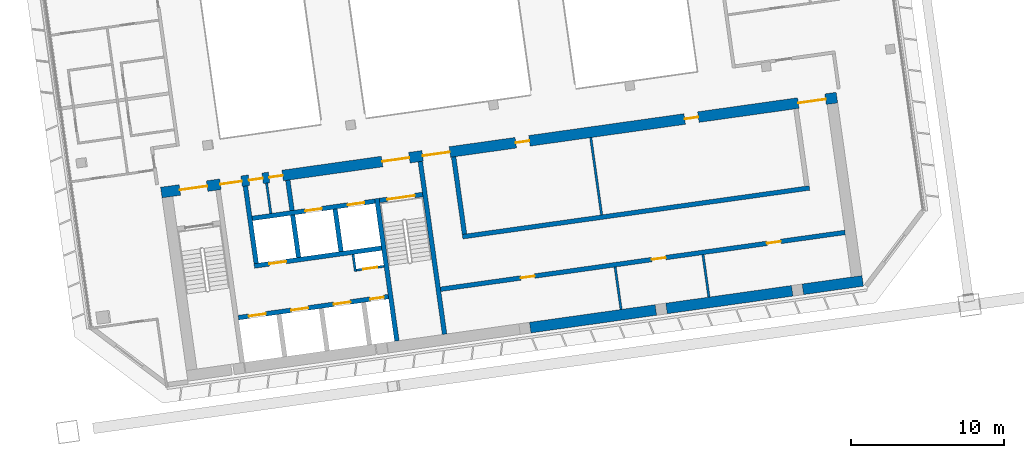
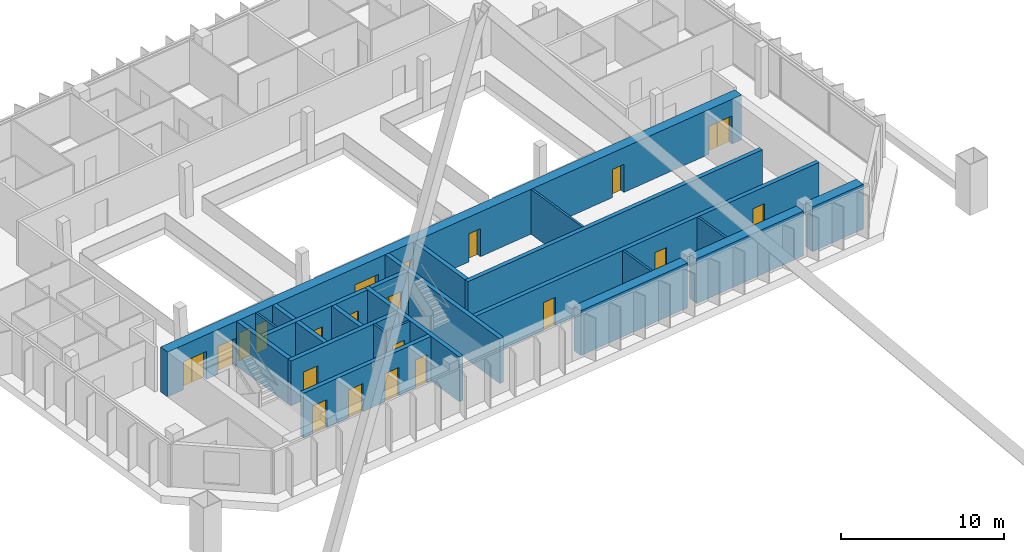
# One storey, part 29 of 38: 23 walls, 21 doors, 21 openings.
"""IFC4 building model written with IfcOpenShell, lengths in metres."""

from ifc_helpers import new_model, si_unit, direction, frame, frame_2d, origin, place, context, subcontext, project, spatial, rectangle, extrude, material, layer, layer_set, type_object, element, fill, save


model = new_model("IFC4")

# Units and contexts
model_context = context("Model", 3, precision=1e-05, world=origin(), true_north=direction((0.0, 1.0)))
body_context = subcontext(model_context, "Body", "Model", "MODEL_VIEW")
ifc_project = project(units=[si_unit("LENGTHUNIT", "METRE"), si_unit("AREAUNIT", "SQUARE_METRE"), si_unit("VOLUMEUNIT", "CUBIC_METRE"), si_unit("PLANEANGLEUNIT", "RADIAN"), si_unit("MASSUNIT", "GRAM", prefix="KILO")], contexts=[model_context])

# Site, building, storey
site_placement = place(None, origin())
site = spatial("IfcSite", under=ifc_project, at=site_placement, CompositionType="ELEMENT")
building_placement = place(site_placement, origin())
building = spatial("IfcBuilding", under=site, at=building_placement, Name="Mirante Cascada Hotel Towers", CompositionType="ELEMENT")
storey_placement = place(building_placement, frame((0.0, 0.0, 184.0)))
storey = spatial("IfcBuildingStorey", under=building, at=storey_placement, Name="L43", CompositionType="ELEMENT", Elevation=184.0)

# Wall
ifc_material_1 = material(Name="Masonry block", Category="masonry")
ifc_layer_1 = layer(ifc_material_1, 0.15)
ifc_layer_set_1 = layer_set([ifc_layer_1], Name="Core room partition 150 block EI 30")
wall_type_1 = type_object("IfcWallType", Name="Core room partition 150 block EI 30", PredefinedType="PARTITIONING", material=ifc_layer_set_1)
wall_1_placement = place(storey_placement, frame((48.2295, -12.793, 0.0), z_axis=(0.0, 0.0, 1.0), x_axis=(-0.1391935, 0.9902652, 0.0)))
element("IfcWall", 1, at=wall_1_placement, inside=storey, type_object=wall_type_1, Name="Core wall partition T2 L43 2", PredefinedType="PARTITIONING", context=body_context, shape_type="SweptSolid", body=[
    extrude(rectangle(XDim=1.1251, YDim=0.15, at=frame_2d((0.5626, 0.0))), origin(), (0.0, 0.0, 1.0), 3.35),
])

# Wall, opening, door
wall_2_placement = place(storey_placement, frame((48.2933, -12.7083, 0.0), z_axis=(0.0, 0.0, 1.0), x_axis=(0.990268, 0.1391734, 0.0)))
wall_2 = element("IfcWall", 2, at=wall_2_placement, inside=storey, type_object=wall_type_1, Name="Core wall partition T2 L43 3", PredefinedType="PARTITIONING", context=body_context, shape_type="SweptSolid", body=[
    extrude(rectangle(XDim=1.8251, YDim=0.15, at=frame_2d((0.9126, 0.0))), origin(), (0.0, 0.0, 1.0), 3.35),
])
opening_1_placement = place(wall_2_placement, frame((0.4625, 0.0, 0.0)))
opening_1 = element("IfcOpeningElement", 3, at=opening_1_placement, cuts=wall_2, Name="Opening D2-43-C15", PredefinedType="OPENING", context=body_context, shape_type="SweptSolid", body=[
    extrude(rectangle(XDim=0.9, YDim=2.1, at=frame_2d((0.45, 1.05))), frame((0.0, 0.075, 0.0), z_axis=(0.0, -1.0, 0.0), x_axis=(1.0, 0.0, 0.0)), (0.0, 0.0, 1.0), 0.15),
])
ifc_material_2 = material(Name="Hollow metal fire door leaf")
door_type_1 = type_object("IfcDoorType", Name="Fire door 900x2100 FD60", OperationType="NOTDEFINED", PredefinedType="DOOR", material=ifc_material_2)
door_1_placement = place(opening_1_placement, frame((0.9, 0.0, 0.0), z_axis=(0.0, 0.0, 1.0), x_axis=(-1.0, 0.0, 0.0)))
door_1 = element("IfcDoor", 4, at=door_1_placement, inside=storey, type_object=door_type_1, Name="Riser door T2 L43 15", OperationType="SINGLE_SWING_RIGHT", OverallHeight=2.1, OverallWidth=0.9, PredefinedType="DOOR", context=body_context, shape_type="SweptSolid", body=[
    extrude(rectangle(XDim=0.9, YDim=2.1, at=frame_2d((0.45, 1.05))), frame((0.0, 0.025, 0.0), z_axis=(0.0, -1.0, 0.0), x_axis=(1.0, 0.0, 0.0)), (0.0, 0.0, 1.0), 0.05),
])
fill(opening_1, door_1)

# Walls
wall_3_placement = place(storey_placement, frame((42.6979, -9.0009, 0.0), z_axis=(0.0, 0.0, 1.0), x_axis=(-0.1391529, 0.9902709, 0.0)))
element("IfcWall", 5, at=wall_3_placement, inside=storey, type_object=wall_type_1, Name="Core wall partition T2 L43 4", PredefinedType="PARTITIONING", context=body_context, shape_type="SweptSolid", body=[
    extrude(rectangle(XDim=2.0, YDim=0.15, at=frame_2d((1.0, 0.0))), origin(), (0.0, 0.0, 1.0), 3.35),
])
wall_4_placement = place(storey_placement, frame((65.594, -15.2755, 0.0), z_axis=(0.0, 0.0, 1.0), x_axis=(-0.139176, 0.9902677, 0.0)))
element("IfcWall", 6, at=wall_4_placement, inside=storey, type_object=wall_type_1, Name="Core wall partition T2 L43 6", PredefinedType="PARTITIONING", context=body_context, shape_type="SweptSolid", body=[
    extrude(rectangle(XDim=2.8001, YDim=0.15, at=frame_2d((1.4, 0.0))), origin(), (0.0, 0.0, 1.0), 3.35),
])
wall_5_placement = place(storey_placement, frame((71.3375, -14.4683, 0.0), z_axis=(0.0, 0.0, 1.0), x_axis=(-0.139141, 0.9902726, 0.0)))
element("IfcWall", 7, at=wall_5_placement, inside=storey, type_object=wall_type_1, Name="Core wall partition T2 L43 7", PredefinedType="PARTITIONING", context=body_context, shape_type="SweptSolid", body=[
    extrude(rectangle(XDim=2.8, YDim=0.15, at=frame_2d((1.4, 0.0))), origin(), (0.0, 0.0, 1.0), 3.35),
])
wall_6_placement = place(storey_placement, frame((64.3211, -9.0925, 0.0), z_axis=(0.0, 0.0, 1.0), x_axis=(-0.1391755, 0.9902677, 0.0)))
element("IfcWall", 8, at=wall_6_placement, inside=storey, type_object=wall_type_1, Name="Core wall partition T2 L43 8", PredefinedType="PARTITIONING", context=body_context, shape_type="SweptSolid", body=[
    extrude(rectangle(XDim=5.1, YDim=0.15, at=frame_2d((2.55, 0.0))), origin(), (0.0, 0.0, 1.0), 3.35),
])
ifc_material_3 = material(Name="Masonry block", Category="masonry")
ifc_layer_2 = layer(ifc_material_3, 0.3)
ifc_layer_set_2 = layer_set([ifc_layer_2], Name="Core wall 300 block EI 120")
wall_type_2 = type_object("IfcWallType", Name="Core wall 300 block EI 120", PredefinedType="PARTITIONING", material=ifc_layer_set_2)
wall_7_placement = place(storey_placement, frame((44.0843, -8.8061, 0.0), z_axis=(0.0, 0.0, 1.0), x_axis=(-0.1391951, 0.990265, 0.0)))
element("IfcWall", 9, at=wall_7_placement, inside=storey, type_object=wall_type_2, Name="Core wall partition T2 L43 1", PredefinedType="PARTITIONING", context=body_context, shape_type="SweptSolid", body=[
    extrude(rectangle(XDim=2.0001, YDim=0.3, at=frame_2d((1.0001, 0.0))), origin(), (0.0, 0.0, 1.0), 3.35),
])

# Wall, openings, doors
wall_8_placement = place(storey_placement, frame((53.7953, -13.9547, 0.0), z_axis=(0.0, 0.0, 1.0), x_axis=(0.9902677, 0.1391758, 0.0)))
wall_8 = element("IfcWall", 10, at=wall_8_placement, inside=storey, type_object=wall_type_2, Name="Core wall partition T2 L43 5", PredefinedType="PARTITIONING", context=body_context, shape_type="SweptSolid", body=[
    extrude(rectangle(XDim=26.7001, YDim=0.3, at=frame_2d((13.35, 0.0))), origin(), (0.0, 0.0, 1.0), 3.35),
])
opening_2_placement = place(wall_8_placement, frame((5.3, 0.0, 0.0)))
opening_2 = element("IfcOpeningElement", 11, at=opening_2_placement, cuts=wall_8, Name="Opening D2-43-C18", PredefinedType="OPENING", context=body_context, shape_type="SweptSolid", body=[
    extrude(rectangle(XDim=0.9, YDim=2.1, at=frame_2d((0.45, 1.05))), frame((0.0, 0.15, 0.0), z_axis=(0.0, -1.0, 0.0), x_axis=(1.0, 0.0, 0.0)), (0.0, 0.0, 1.0), 0.3),
])
opening_3_placement = place(wall_8_placement, frame((13.95, 0.0, 0.0)))
opening_3 = element("IfcOpeningElement", 12, at=opening_3_placement, cuts=wall_8, Name="Opening D2-43-C19", PredefinedType="OPENING", context=body_context, shape_type="SweptSolid", body=[
    extrude(rectangle(XDim=0.9, YDim=2.1, at=frame_2d((0.45, 1.05))), frame((0.0, 0.15, 0.0), z_axis=(0.0, -1.0, 0.0), x_axis=(1.0, 0.0, 0.0)), (0.0, 0.0, 1.0), 0.3),
])
opening_4_placement = place(wall_8_placement, frame((21.55, 0.0, 0.0)))
opening_4 = element("IfcOpeningElement", 13, at=opening_4_placement, cuts=wall_8, Name="Opening D2-43-C20", PredefinedType="OPENING", context=body_context, shape_type="SweptSolid", body=[
    extrude(rectangle(XDim=0.9, YDim=2.1, at=frame_2d((0.45, 1.05))), frame((0.0, 0.15, 0.0), z_axis=(0.0, -1.0, 0.0), x_axis=(1.0, 0.0, 0.0)), (0.0, 0.0, 1.0), 0.3),
])
door_2_placement = place(opening_2_placement, frame((0.9, 0.0, 0.0), z_axis=(0.0, 0.0, 1.0), x_axis=(-1.0, 0.0, 0.0)))
door_2 = element("IfcDoor", 14, at=door_2_placement, inside=storey, type_object=door_type_1, Name="Room door T2 L43 18", OperationType="SINGLE_SWING_LEFT", OverallHeight=2.1, OverallWidth=0.9, PredefinedType="DOOR", context=body_context, shape_type="SweptSolid", body=[
    extrude(rectangle(XDim=0.9, YDim=2.1, at=frame_2d((0.45, 1.05))), frame((0.0, 0.025, 0.0), z_axis=(0.0, -1.0, 0.0), x_axis=(1.0, 0.0, 0.0)), (0.0, 0.0, 1.0), 0.05),
])
fill(opening_2, door_2)
door_3_placement = place(opening_3_placement, frame((0.9, 0.0, 0.0), z_axis=(0.0, 0.0, 1.0), x_axis=(-1.0, 0.0, 0.0)))
door_3 = element("IfcDoor", 15, at=door_3_placement, inside=storey, type_object=door_type_1, Name="Room door T2 L43 19", OperationType="SINGLE_SWING_RIGHT", OverallHeight=2.1, OverallWidth=0.9, PredefinedType="DOOR", context=body_context, shape_type="SweptSolid", body=[
    extrude(rectangle(XDim=0.9, YDim=2.1, at=frame_2d((0.45, 1.05))), frame((0.0, 0.025, 0.0), z_axis=(0.0, -1.0, 0.0), x_axis=(1.0, 0.0, 0.0)), (0.0, 0.0, 1.0), 0.05),
])
fill(opening_3, door_3)
door_4_placement = place(opening_4_placement, frame((0.9, 0.0, 0.0), z_axis=(0.0, 0.0, 1.0), x_axis=(-1.0, 0.0, 0.0)))
door_4 = element("IfcDoor", 16, at=door_4_placement, inside=storey, type_object=door_type_1, Name="Room door T2 L43 20", OperationType="SINGLE_SWING_RIGHT", OverallHeight=2.1, OverallWidth=0.9, PredefinedType="DOOR", context=body_context, shape_type="SweptSolid", body=[
    extrude(rectangle(XDim=0.9, YDim=2.1, at=frame_2d((0.45, 1.05))), frame((0.0, 0.025, 0.0), z_axis=(0.0, -1.0, 0.0), x_axis=(1.0, 0.0, 0.0)), (0.0, 0.0, 1.0), 0.05),
])
fill(opening_4, door_4)

# Walls
ifc_material_4 = material(Name="Concrete C50/60", Category="concrete")
ifc_layer_3 = layer(ifc_material_4, 0.3)
ifc_layer_set_3 = layer_set([ifc_layer_3], Name="RC core wall 300 C50/60")
wall_type_3 = type_object("IfcWallType", Name="RC core wall 300 C50/60", PredefinedType="SHEAR", material=ifc_layer_set_3)
wall_9_placement = place(storey_placement, frame((50.938, -17.3352, 0.0), z_axis=(0.0, 0.0, 1.0), x_axis=(-0.1391706, 0.9902684, 0.0)))
element("IfcWall", 17, at=wall_9_placement, inside=storey, type_object=wall_type_3, Name="Core wall T2:L43:6", PredefinedType="SHEAR", context=body_context, shape_type="SweptSolid", body=[
    extrude(rectangle(XDim=9.4, YDim=0.3, at=frame_2d((4.7, 0.0))), origin(), (0.0, 0.0, 1.0), 3.35),
])
wall_10_placement = place(storey_placement, frame((54.0574, -16.8968, 0.0), z_axis=(0.0, 0.0, 1.0), x_axis=(-0.1391761, 0.9902677, 0.0)))
element("IfcWall", 18, at=wall_10_placement, inside=storey, type_object=wall_type_3, Name="Core wall T2:L43:7", PredefinedType="SHEAR", context=body_context, shape_type="SweptSolid", body=[
    extrude(rectangle(XDim=11.3999, YDim=0.3, at=frame_2d((5.7, 0.0))), origin(), (0.0, 0.0, 1.0), 3.35),
])

# Wall, opening, door
wall_11_placement = place(storey_placement, frame((49.7992, -8.1544, 0.0), z_axis=(0.0, 0.0, 1.0), x_axis=(0.9902656, 0.1391909, 0.0)))
wall_11 = element("IfcWall", 19, at=wall_11_placement, inside=storey, type_object=wall_type_3, Name="Core wall T2:L43:9", PredefinedType="SHEAR", context=body_context, shape_type="SweptSolid", body=[
    extrude(rectangle(XDim=2.85, YDim=0.3, at=frame_2d((1.425, 0.0))), origin(), (0.0, 0.0, 1.0), 3.35),
])
opening_5_placement = place(wall_11_placement, frame((0.525, 0.0, 0.0)))
opening_5 = element("IfcOpeningElement", 20, at=opening_5_placement, cuts=wall_11, Name="Opening D2-43-C09", PredefinedType="OPENING", context=body_context, shape_type="SweptSolid", body=[
    extrude(rectangle(XDim=1.8, YDim=2.1, at=frame_2d((0.9, 1.05))), frame((0.0, 0.15, 0.0), z_axis=(0.0, -1.0, 0.0), x_axis=(1.0, 0.0, 0.0)), (0.0, 0.0, 1.0), 0.3),
])
ifc_material_5 = material(Name="Hollow metal fire door leaf")
door_type_2 = type_object("IfcDoorType", Name="Double fire door 1800x2100 FD60", OperationType="DOUBLE_DOOR_SINGLE_SWING", PredefinedType="DOOR", material=ifc_material_5)
door_5_placement = place(opening_5_placement, frame((1.8, 0.0, 0.0), z_axis=(0.0, 0.0, 1.0), x_axis=(-1.0, 0.0, 0.0)))
door_5 = element("IfcDoor", 21, at=door_5_placement, inside=storey, type_object=door_type_2, Name="Stair door T2 L43 9", OperationType="DOUBLE_DOOR_SINGLE_SWING", OverallHeight=2.1, OverallWidth=1.8, PredefinedType="DOOR", context=body_context, shape_type="SweptSolid", body=[
    extrude(rectangle(XDim=0.895, YDim=2.1, at=frame_2d((0.4475, 1.05))), frame((0.0, 0.025, 0.0), z_axis=(0.0, -1.0, 0.0), x_axis=(1.0, 0.0, 0.0)), (0.0, 0.0, 1.0), 0.05),
    extrude(rectangle(XDim=0.895, YDim=2.1, at=frame_2d((1.3525, 1.05))), frame((0.0, 0.025, 0.0), z_axis=(0.0, -1.0, 0.0), x_axis=(1.0, 0.0, 0.0)), (0.0, 0.0, 1.0), 0.05),
])
fill(opening_5, door_5)

# Wall, openings, doors
wall_12_placement = place(storey_placement, frame((40.5753, -15.8126, 0.0), z_axis=(0.0, 0.0, 1.0), x_axis=(0.9902682, 0.1391725, 0.0)))
wall_12 = element("IfcWall", 22, at=wall_12_placement, inside=storey, type_object=wall_type_3, Name="Core wall T2:L43:10", PredefinedType="SHEAR", context=body_context, shape_type="SweptSolid", body=[
    extrude(rectangle(XDim=9.8999, YDim=0.3, at=frame_2d((4.95, 0.0))), origin(), (0.0, 0.0, 1.0), 3.35),
])
opening_6_placement = place(wall_12_placement, frame((0.7, 0.0, 0.0)))
opening_6 = element("IfcOpeningElement", 23, at=opening_6_placement, cuts=wall_12, Name="Opening LD", PredefinedType="OPENING", context=body_context, shape_type="SweptSolid", body=[
    extrude(rectangle(XDim=1.1, YDim=2.1, at=frame_2d((0.55, 1.05))), frame((0.0, 0.15, 0.0), z_axis=(0.0, -1.0, 0.0), x_axis=(1.0, 0.0, 0.0)), (0.0, 0.0, 1.0), 0.3),
])
opening_7_placement = place(wall_12_placement, frame((3.5, 0.0, 0.0)))
opening_7 = element("IfcOpeningElement", 24, at=opening_7_placement, cuts=wall_12, Name="Opening LD", PredefinedType="OPENING", context=body_context, shape_type="SweptSolid", body=[
    extrude(rectangle(XDim=1.1, YDim=2.1, at=frame_2d((0.55, 1.05))), frame((0.0, 0.15, 0.0), z_axis=(0.0, -1.0, 0.0), x_axis=(1.0, 0.0, 0.0)), (0.0, 0.0, 1.0), 0.3),
])
opening_8_placement = place(wall_12_placement, frame((6.3, 0.0, 0.0)))
opening_8 = element("IfcOpeningElement", 25, at=opening_8_placement, cuts=wall_12, Name="Opening LD", PredefinedType="OPENING", context=body_context, shape_type="SweptSolid", body=[
    extrude(rectangle(XDim=1.1, YDim=2.1, at=frame_2d((0.55, 1.05))), frame((0.0, 0.15, 0.0), z_axis=(0.0, -1.0, 0.0), x_axis=(1.0, 0.0, 0.0)), (0.0, 0.0, 1.0), 0.3),
])
opening_9_placement = place(wall_12_placement, frame((8.7, 0.0, 0.0)))
opening_9 = element("IfcOpeningElement", 26, at=opening_9_placement, cuts=wall_12, Name="Opening D2-43-C14", PredefinedType="OPENING", context=body_context, shape_type="SweptSolid", body=[
    extrude(rectangle(XDim=0.9, YDim=2.1, at=frame_2d((0.45, 1.05))), frame((0.0, 0.15, 0.0), z_axis=(0.0, -1.0, 0.0), x_axis=(1.0, 0.0, 0.0)), (0.0, 0.0, 1.0), 0.3),
])
door_6_placement = place(opening_9_placement, frame((0.9, 0.0, 0.0), z_axis=(0.0, 0.0, 1.0), x_axis=(-1.0, 0.0, 0.0)))
door_6 = element("IfcDoor", 27, at=door_6_placement, inside=storey, type_object=door_type_1, Name="Riser door T2 L43 14", OperationType="SINGLE_SWING_RIGHT", OverallHeight=2.1, OverallWidth=0.9, PredefinedType="DOOR", context=body_context, shape_type="SweptSolid", body=[
    extrude(rectangle(XDim=0.9, YDim=2.1, at=frame_2d((0.45, 1.05))), frame((0.0, 0.025, 0.0), z_axis=(0.0, -1.0, 0.0), x_axis=(1.0, 0.0, 0.0)), (0.0, 0.0, 1.0), 0.05),
])
fill(opening_9, door_6)
ifc_material_6 = material(Name="Stainless steel", Category="steel")
door_type_3 = type_object("IfcDoorType", Name="Lift landing door 1100x2100 EI 120", OperationType="DOUBLE_DOOR_SLIDING", PredefinedType="DOOR", material=ifc_material_6)
door_7_placement = place(opening_6_placement, origin())
door_7 = element("IfcDoor", 28, at=door_7_placement, inside=storey, type_object=door_type_3, Name="Lift landing door HR2-1 L43", OperationType="DOUBLE_DOOR_SLIDING", OverallHeight=2.1, OverallWidth=1.1, PredefinedType="DOOR", context=body_context, shape_type="SweptSolid", body=[
    extrude(rectangle(XDim=0.545, YDim=2.1, at=frame_2d((0.2725, 1.05))), frame((0.0, 0.025, 0.0), z_axis=(0.0, -1.0, 0.0), x_axis=(1.0, 0.0, 0.0)), (0.0, 0.0, 1.0), 0.05),
    extrude(rectangle(XDim=0.545, YDim=2.1, at=frame_2d((0.8275, 1.05))), frame((0.0, 0.025, 0.0), z_axis=(0.0, -1.0, 0.0), x_axis=(1.0, 0.0, 0.0)), (0.0, 0.0, 1.0), 0.05),
])
fill(opening_6, door_7)
door_8_placement = place(opening_7_placement, origin())
door_8 = element("IfcDoor", 29, at=door_8_placement, inside=storey, type_object=door_type_3, Name="Lift landing door HR2-2 L43", OperationType="DOUBLE_DOOR_SLIDING", OverallHeight=2.1, OverallWidth=1.1, PredefinedType="DOOR", context=body_context, shape_type="SweptSolid", body=[
    extrude(rectangle(XDim=0.545, YDim=2.1, at=frame_2d((0.2725, 1.05))), frame((0.0, 0.025, 0.0), z_axis=(0.0, -1.0, 0.0), x_axis=(1.0, 0.0, 0.0)), (0.0, 0.0, 1.0), 0.05),
    extrude(rectangle(XDim=0.545, YDim=2.1, at=frame_2d((0.8275, 1.05))), frame((0.0, 0.025, 0.0), z_axis=(0.0, -1.0, 0.0), x_axis=(1.0, 0.0, 0.0)), (0.0, 0.0, 1.0), 0.05),
])
fill(opening_7, door_8)
door_9_placement = place(opening_8_placement, origin())
door_9 = element("IfcDoor", 30, at=door_9_placement, inside=storey, type_object=door_type_3, Name="Lift landing door HR2-3 L43", OperationType="DOUBLE_DOOR_SLIDING", OverallHeight=2.1, OverallWidth=1.1, PredefinedType="DOOR", context=body_context, shape_type="SweptSolid", body=[
    extrude(rectangle(XDim=0.545, YDim=2.1, at=frame_2d((0.2725, 1.05))), frame((0.0, 0.025, 0.0), z_axis=(0.0, -1.0, 0.0), x_axis=(1.0, 0.0, 0.0)), (0.0, 0.0, 1.0), 0.05),
    extrude(rectangle(XDim=0.545, YDim=2.1, at=frame_2d((0.8275, 1.05))), frame((0.0, 0.025, 0.0), z_axis=(0.0, -1.0, 0.0), x_axis=(1.0, 0.0, 0.0)), (0.0, 0.0, 1.0), 0.05),
])
fill(opening_8, door_9)

# Wall, opening, door
wall_13_placement = place(storey_placement, frame((41.6153, -12.435, 0.0), z_axis=(0.0, 0.0, 1.0), x_axis=(0.9902691, 0.139166, 0.0)))
wall_13 = element("IfcWall", 31, at=wall_13_placement, inside=storey, type_object=wall_type_3, Name="Core wall T2:L43:11", PredefinedType="SHEAR", context=body_context, shape_type="SweptSolid", body=[
    extrude(rectangle(XDim=8.4, YDim=0.3, at=frame_2d((4.2, 0.0))), origin(), (0.0, 0.0, 1.0), 3.35),
])
opening_10_placement = place(wall_13_placement, frame((1.0, 0.0, 0.0)))
opening_10 = element("IfcOpeningElement", 32, at=opening_10_placement, cuts=wall_13, Name="Opening LD", PredefinedType="OPENING", context=body_context, shape_type="SweptSolid", body=[
    extrude(rectangle(XDim=1.1, YDim=2.1, at=frame_2d((0.55, 1.05))), frame((0.0, 0.15, 0.0), z_axis=(0.0, -1.0, 0.0), x_axis=(1.0, 0.0, 0.0)), (0.0, 0.0, 1.0), 0.3),
])
door_10_placement = place(opening_10_placement, origin())
door_10 = element("IfcDoor", 33, at=door_10_placement, inside=storey, type_object=door_type_3, Name="Lift landing door HR2-4 L43", OperationType="DOUBLE_DOOR_SLIDING", OverallHeight=2.1, OverallWidth=1.1, PredefinedType="DOOR", context=body_context, shape_type="SweptSolid", body=[
    extrude(rectangle(XDim=0.545, YDim=2.1, at=frame_2d((0.2725, 1.05))), frame((0.0, 0.025, 0.0), z_axis=(0.0, -1.0, 0.0), x_axis=(1.0, 0.0, 0.0)), (0.0, 0.0, 1.0), 0.05),
    extrude(rectangle(XDim=0.545, YDim=2.1, at=frame_2d((0.8275, 1.05))), frame((0.0, 0.025, 0.0), z_axis=(0.0, -1.0, 0.0), x_axis=(1.0, 0.0, 0.0)), (0.0, 0.0, 1.0), 0.05),
])
fill(opening_10, door_10)

# Wall, openings, doors
wall_14_placement = place(storey_placement, frame((41.481, -9.3234, 0.0), z_axis=(0.0, 0.0, 1.0), x_axis=(0.9902679, 0.1391741, 0.0)))
wall_14 = element("IfcWall", 34, at=wall_14_placement, inside=storey, type_object=wall_type_3, Name="Core wall T2:L43:12", PredefinedType="SHEAR", context=body_context, shape_type="SweptSolid", body=[
    extrude(rectangle(XDim=8.0999, YDim=0.3, at=frame_2d((4.05, 0.0))), origin(), (0.0, 0.0, 1.0), 3.35),
])
opening_11_placement = place(wall_14_placement, frame((3.5, 0.0, 0.0)))
opening_11 = element("IfcOpeningElement", 35, at=opening_11_placement, cuts=wall_14, Name="Opening LD", PredefinedType="OPENING", context=body_context, shape_type="SweptSolid", body=[
    extrude(rectangle(XDim=1.1, YDim=2.1, at=frame_2d((0.55, 1.05))), frame((0.0, 0.15, 0.0), z_axis=(0.0, -1.0, 0.0), x_axis=(1.0, 0.0, 0.0)), (0.0, 0.0, 1.0), 0.3),
])
opening_12_placement = place(wall_14_placement, frame((6.3, 0.0, 0.0)))
opening_12 = element("IfcOpeningElement", 36, at=opening_12_placement, cuts=wall_14, Name="Opening LD", PredefinedType="OPENING", context=body_context, shape_type="SweptSolid", body=[
    extrude(rectangle(XDim=1.1, YDim=2.1, at=frame_2d((0.55, 1.05))), frame((0.0, 0.15, 0.0), z_axis=(0.0, -1.0, 0.0), x_axis=(1.0, 0.0, 0.0)), (0.0, 0.0, 1.0), 0.3),
])
door_11_placement = place(opening_11_placement, origin())
door_11 = element("IfcDoor", 37, at=door_11_placement, inside=storey, type_object=door_type_3, Name="Lift landing door FF3 L43", OperationType="DOUBLE_DOOR_SLIDING", OverallHeight=2.1, OverallWidth=1.1, PredefinedType="DOOR", context=body_context, shape_type="SweptSolid", body=[
    extrude(rectangle(XDim=0.545, YDim=2.1, at=frame_2d((0.2725, 1.05))), frame((0.0, 0.025, 0.0), z_axis=(0.0, -1.0, 0.0), x_axis=(1.0, 0.0, 0.0)), (0.0, 0.0, 1.0), 0.05),
    extrude(rectangle(XDim=0.545, YDim=2.1, at=frame_2d((0.8275, 1.05))), frame((0.0, 0.025, 0.0), z_axis=(0.0, -1.0, 0.0), x_axis=(1.0, 0.0, 0.0)), (0.0, 0.0, 1.0), 0.05),
])
fill(opening_11, door_11)
door_12_placement = place(opening_12_placement, origin())
door_12 = element("IfcDoor", 38, at=door_12_placement, inside=storey, type_object=door_type_3, Name="Lift landing door FF4 L43", OperationType="DOUBLE_DOOR_SLIDING", OverallHeight=2.1, OverallWidth=1.1, PredefinedType="DOOR", context=body_context, shape_type="SweptSolid", body=[
    extrude(rectangle(XDim=0.545, YDim=2.1, at=frame_2d((0.2725, 1.05))), frame((0.0, 0.025, 0.0), z_axis=(0.0, -1.0, 0.0), x_axis=(1.0, 0.0, 0.0)), (0.0, 0.0, 1.0), 0.05),
    extrude(rectangle(XDim=0.545, YDim=2.1, at=frame_2d((0.8275, 1.05))), frame((0.0, 0.025, 0.0), z_axis=(0.0, -1.0, 0.0), x_axis=(1.0, 0.0, 0.0)), (0.0, 0.0, 1.0), 0.05),
])
fill(opening_12, door_12)

# Walls
for number, where, z_axis, x_axis, name in (
    (39, (44.5157, -11.8759, 0.0), (0.0, 0.0, 1.0), (-0.139181, 0.990267, 0.0), "Core wall T2:L43:16"),
    (40, (47.2885, -11.4862, 0.0), (0.0, 0.0, 1.0), (-0.139181, 0.990267, 0.0), "Core wall T2:L43:17"),
):
    element("IfcWall", number, at=place(storey_placement, frame(where, z_axis=z_axis, x_axis=x_axis)), inside=storey, type_object=wall_type_3, Name=name, PredefinedType="SHEAR", context=body_context, shape_type="SweptSolid", body=[
        extrude(rectangle(XDim=2.8, YDim=0.3, at=frame_2d((1.4, 0.0))), origin(), (0.0, 0.0, 1.0), 3.35),
    ])
wall_15_placement = place(storey_placement, frame((41.743, -12.2656, 0.0), z_axis=(0.0, 0.0, 1.0), x_axis=(-0.1391755, 0.9902677, 0.0)))
element("IfcWall", 41, at=wall_15_placement, inside=storey, type_object=wall_type_3, Name="Core wall T2:L43:18", PredefinedType="SHEAR", context=body_context, shape_type="SweptSolid", body=[
    extrude(rectangle(XDim=5.1, YDim=0.3, at=frame_2d((2.55, 0.0))), origin(), (0.0, 0.0, 1.0), 3.35),
])
wall_16_placement = place(storey_placement, frame((55.2315, -10.5214, 0.0), z_axis=(0.0, 0.0, 1.0), x_axis=(0.9902678, 0.1391749, 0.0)))
element("IfcWall", 42, at=wall_16_placement, inside=storey, type_object=wall_type_3, Name="Core wall T2:L43:26", PredefinedType="SHEAR", context=body_context, shape_type="SweptSolid", body=[
    extrude(rectangle(XDim=22.9, YDim=0.3, at=frame_2d((11.45, 0.0))), origin(), (0.0, 0.0, 1.0), 3.35),
])
wall_17_placement = place(storey_placement, frame((55.3592, -10.352, 0.0), z_axis=(0.0, 0.0, 1.0), x_axis=(-0.1391755, 0.9902677, 0.0)))
element("IfcWall", 43, at=wall_17_placement, inside=storey, type_object=wall_type_3, Name="Core wall T2:L43:27", PredefinedType="SHEAR", context=body_context, shape_type="SweptSolid", body=[
    extrude(rectangle(XDim=5.1, YDim=0.3, at=frame_2d((2.55, 0.0))), origin(), (0.0, 0.0, 1.0), 3.35),
])
ifc_material_7 = material(Name="Concrete C50/60", Category="concrete")
ifc_layer_4 = layer(ifc_material_7, 0.7)
ifc_layer_set_4 = layer_set([ifc_layer_4], Name="RC core wall 700 C50/60")
wall_type_4 = type_object("IfcWallType", Name="RC core wall 700 C50/60", PredefinedType="SHEAR", material=ifc_layer_set_4)
for number, where, z_axis, x_axis, name in (
    (44, (59.6516, -16.4641, 0.0), (0.0, 0.0, 1.0), (0.990267, 0.139181, 0.0), "Core wall T2:L43:1.4"),
    (45, (68.564, -15.2115, 0.0), (0.0, 0.0, 1.0), (0.9902686, 0.1391692, 0.0), "Core wall T2:L43:1.5"),
):
    element("IfcWall", number, at=place(storey_placement, frame(where, z_axis=z_axis, x_axis=x_axis)), inside=storey, type_object=wall_type_4, Name=name, PredefinedType="SHEAR", context=body_context, shape_type="SweptSolid", body=[
        extrude(rectangle(XDim=8.3, YDim=0.7, at=frame_2d((4.15, 0.0))), origin(), (0.0, 0.0, 1.0), 3.35),
    ])
wall_18_placement = place(storey_placement, frame((77.4764, -13.9589, 0.0), z_axis=(0.0, 0.0, 1.0), x_axis=(0.9902694, 0.1391633, 0.0)))
element("IfcWall", 46, at=wall_18_placement, inside=storey, type_object=wall_type_4, Name="Core wall T2:L43:1.6", PredefinedType="SHEAR", context=body_context, shape_type="SweptSolid", body=[
    extrude(rectangle(XDim=3.95, YDim=0.7, at=frame_2d((1.975, 0.0))), origin(), (0.0, 0.0, 1.0), 3.35),
])

# Wall, openings, doors
wall_19_placement = place(storey_placement, frame((35.538, -7.6341, 0.0), z_axis=(0.0, 0.0, 1.0), x_axis=(0.9902682, 0.1391725, 0.0)))
wall_19 = element("IfcWall", 47, at=wall_19_placement, inside=storey, type_object=wall_type_4, Name="Core wall T2:L43:2", PredefinedType="SHEAR", context=body_context, shape_type="SweptSolid", body=[
    extrude(rectangle(XDim=44.6, YDim=0.7, at=frame_2d((22.3, 0.0))), origin(), (0.0, 0.0, 1.0), 3.35),
])
opening_13_placement = place(wall_19_placement, frame((1.225, 0.0, 0.0)))
opening_13 = element("IfcOpeningElement", 48, at=opening_13_placement, cuts=wall_19, Name="Opening D2-43-C08", PredefinedType="OPENING", context=body_context, shape_type="SweptSolid", body=[
    extrude(rectangle(XDim=1.8, YDim=2.1, at=frame_2d((0.9, 1.05))), frame((0.0, 0.35, 0.0), z_axis=(0.0, -1.0, 0.0), x_axis=(1.0, 0.0, 0.0)), (0.0, 0.0, 1.0), 0.7),
])
opening_14_placement = place(wall_19_placement, frame((14.575, 0.0, 0.0)))
opening_14 = element("IfcOpeningElement", 49, at=opening_14_placement, cuts=wall_19, Name="Opening D2-43-C10", PredefinedType="OPENING", context=body_context, shape_type="SweptSolid", body=[
    extrude(rectangle(XDim=1.8, YDim=2.1, at=frame_2d((0.9, 1.05))), frame((0.0, 0.35, 0.0), z_axis=(0.0, -1.0, 0.0), x_axis=(1.0, 0.0, 0.0)), (0.0, 0.0, 1.0), 0.7),
])
opening_15_placement = place(wall_19_placement, frame((3.9, 0.0, 0.0)))
opening_15 = element("IfcOpeningElement", 50, at=opening_15_placement, cuts=wall_19, Name="Opening D2-43-C11", PredefinedType="OPENING", context=body_context, shape_type="SweptSolid", body=[
    extrude(rectangle(XDim=1.4, YDim=2.1, at=frame_2d((0.7, 1.05))), frame((0.0, 0.35, 0.0), z_axis=(0.0, -1.0, 0.0), x_axis=(1.0, 0.0, 0.0)), (0.0, 0.0, 1.0), 0.7),
])
opening_16_placement = place(wall_19_placement, frame((17.25, 0.0, 0.0)))
opening_16 = element("IfcOpeningElement", 51, at=opening_16_placement, cuts=wall_19, Name="Opening D2-43-C12", PredefinedType="OPENING", context=body_context, shape_type="SweptSolid", body=[
    extrude(rectangle(XDim=1.8, YDim=2.1, at=frame_2d((0.9, 1.05))), frame((0.0, 0.35, 0.0), z_axis=(0.0, -1.0, 0.0), x_axis=(1.0, 0.0, 0.0)), (0.0, 0.0, 1.0), 0.7),
])
opening_17_placement = place(wall_19_placement, frame((42.05, 0.0, 0.0)))
opening_17 = element("IfcOpeningElement", 52, at=opening_17_placement, cuts=wall_19, Name="Opening D2-43-C13", PredefinedType="OPENING", context=body_context, shape_type="SweptSolid", body=[
    extrude(rectangle(XDim=1.8, YDim=2.1, at=frame_2d((0.9, 1.05))), frame((0.0, 0.35, 0.0), z_axis=(0.0, -1.0, 0.0), x_axis=(1.0, 0.0, 0.0)), (0.0, 0.0, 1.0), 0.7),
])
opening_18_placement = place(wall_19_placement, frame((5.7875, 0.0, 0.0)))
opening_18 = element("IfcOpeningElement", 53, at=opening_18_placement, cuts=wall_19, Name="Opening D2-43-C16", PredefinedType="OPENING", context=body_context, shape_type="SweptSolid", body=[
    extrude(rectangle(XDim=0.9, YDim=2.1, at=frame_2d((0.45, 1.05))), frame((0.0, 0.35, 0.0), z_axis=(0.0, -1.0, 0.0), x_axis=(1.0, 0.0, 0.0)), (0.0, 0.0, 1.0), 0.7),
])
opening_19_placement = place(wall_19_placement, frame((7.1125, 0.0, 0.0)))
opening_19 = element("IfcOpeningElement", 54, at=opening_19_placement, cuts=wall_19, Name="Opening D2-43-C17", PredefinedType="OPENING", context=body_context, shape_type="SweptSolid", body=[
    extrude(rectangle(XDim=0.9, YDim=2.1, at=frame_2d((0.45, 1.05))), frame((0.0, 0.35, 0.0), z_axis=(0.0, -1.0, 0.0), x_axis=(1.0, 0.0, 0.0)), (0.0, 0.0, 1.0), 0.7),
])
opening_20_placement = place(wall_19_placement, frame((23.4, 0.0, 0.0)))
opening_20 = element("IfcOpeningElement", 55, at=opening_20_placement, cuts=wall_19, Name="Opening D2-43-C21", PredefinedType="OPENING", context=body_context, shape_type="SweptSolid", body=[
    extrude(rectangle(XDim=0.9, YDim=2.1, at=frame_2d((0.45, 1.05))), frame((0.0, 0.35, 0.0), z_axis=(0.0, -1.0, 0.0), x_axis=(1.0, 0.0, 0.0)), (0.0, 0.0, 1.0), 0.7),
])
opening_21_placement = place(wall_19_placement, frame((34.55, 0.0, 0.0)))
opening_21 = element("IfcOpeningElement", 56, at=opening_21_placement, cuts=wall_19, Name="Opening D2-43-C22", PredefinedType="OPENING", context=body_context, shape_type="SweptSolid", body=[
    extrude(rectangle(XDim=0.9, YDim=2.1, at=frame_2d((0.45, 1.05))), frame((0.0, 0.35, 0.0), z_axis=(0.0, -1.0, 0.0), x_axis=(1.0, 0.0, 0.0)), (0.0, 0.0, 1.0), 0.7),
])
ifc_material_8 = material(Name="Hollow metal fire door leaf")
door_type_4 = type_object("IfcDoorType", Name="Double fire door 1400x2100 FD60", OperationType="DOUBLE_DOOR_SINGLE_SWING", PredefinedType="DOOR", material=ifc_material_8)
door_13_placement = place(opening_15_placement, origin())
door_13 = element("IfcDoor", 57, at=door_13_placement, inside=storey, type_object=door_type_4, Name="Exit door to gallery T2 L43 11", OperationType="DOUBLE_DOOR_SINGLE_SWING", OverallHeight=2.1, OverallWidth=1.4, PredefinedType="DOOR", context=body_context, shape_type="SweptSolid", body=[
    extrude(rectangle(XDim=0.695, YDim=2.1, at=frame_2d((0.3475, 1.05))), frame((0.0, 0.025, 0.0), z_axis=(0.0, -1.0, 0.0), x_axis=(1.0, 0.0, 0.0)), (0.0, 0.0, 1.0), 0.05),
    extrude(rectangle(XDim=0.695, YDim=2.1, at=frame_2d((1.0525, 1.05))), frame((0.0, 0.025, 0.0), z_axis=(0.0, -1.0, 0.0), x_axis=(1.0, 0.0, 0.0)), (0.0, 0.0, 1.0), 0.05),
])
fill(opening_15, door_13)
door_14_placement = place(opening_13_placement, frame((1.8, 0.0, 0.0), z_axis=(0.0, 0.0, 1.0), x_axis=(-1.0, 0.0, 0.0)))
door_14 = element("IfcDoor", 58, at=door_14_placement, inside=storey, type_object=door_type_2, Name="Exit door to gallery T2 L43 8", OperationType="DOUBLE_DOOR_SINGLE_SWING", OverallHeight=2.1, OverallWidth=1.8, PredefinedType="DOOR", context=body_context, shape_type="SweptSolid", body=[
    extrude(rectangle(XDim=0.895, YDim=2.1, at=frame_2d((0.4475, 1.05))), frame((0.0, 0.025, 0.0), z_axis=(0.0, -1.0, 0.0), x_axis=(1.0, 0.0, 0.0)), (0.0, 0.0, 1.0), 0.05),
    extrude(rectangle(XDim=0.895, YDim=2.1, at=frame_2d((1.3525, 1.05))), frame((0.0, 0.025, 0.0), z_axis=(0.0, -1.0, 0.0), x_axis=(1.0, 0.0, 0.0)), (0.0, 0.0, 1.0), 0.05),
])
fill(opening_13, door_14)
door_15_placement = place(opening_14_placement, frame((1.8, 0.0, 0.0), z_axis=(0.0, 0.0, 1.0), x_axis=(-1.0, 0.0, 0.0)))
door_15 = element("IfcDoor", 59, at=door_15_placement, inside=storey, type_object=door_type_2, Name="Exit door to gallery T2 L43 10", OperationType="DOUBLE_DOOR_SINGLE_SWING", OverallHeight=2.1, OverallWidth=1.8, PredefinedType="DOOR", context=body_context, shape_type="SweptSolid", body=[
    extrude(rectangle(XDim=0.895, YDim=2.1, at=frame_2d((0.4475, 1.05))), frame((0.0, 0.025, 0.0), z_axis=(0.0, -1.0, 0.0), x_axis=(1.0, 0.0, 0.0)), (0.0, 0.0, 1.0), 0.05),
    extrude(rectangle(XDim=0.895, YDim=2.1, at=frame_2d((1.3525, 1.05))), frame((0.0, 0.025, 0.0), z_axis=(0.0, -1.0, 0.0), x_axis=(1.0, 0.0, 0.0)), (0.0, 0.0, 1.0), 0.05),
])
fill(opening_14, door_15)
door_16_placement = place(opening_16_placement, origin())
door_16 = element("IfcDoor", 60, at=door_16_placement, inside=storey, type_object=door_type_2, Name="Exit door to gallery T2 L43 12", OperationType="DOUBLE_DOOR_SINGLE_SWING", OverallHeight=2.1, OverallWidth=1.8, PredefinedType="DOOR", context=body_context, shape_type="SweptSolid", body=[
    extrude(rectangle(XDim=0.895, YDim=2.1, at=frame_2d((0.4475, 1.05))), frame((0.0, 0.025, 0.0), z_axis=(0.0, -1.0, 0.0), x_axis=(1.0, 0.0, 0.0)), (0.0, 0.0, 1.0), 0.05),
    extrude(rectangle(XDim=0.895, YDim=2.1, at=frame_2d((1.3525, 1.05))), frame((0.0, 0.025, 0.0), z_axis=(0.0, -1.0, 0.0), x_axis=(1.0, 0.0, 0.0)), (0.0, 0.0, 1.0), 0.05),
])
fill(opening_16, door_16)
door_17_placement = place(opening_17_placement, origin())
door_17 = element("IfcDoor", 61, at=door_17_placement, inside=storey, type_object=door_type_2, Name="Exit door to gallery T2 L43 13", OperationType="DOUBLE_DOOR_SINGLE_SWING", OverallHeight=2.1, OverallWidth=1.8, PredefinedType="DOOR", context=body_context, shape_type="SweptSolid", body=[
    extrude(rectangle(XDim=0.895, YDim=2.1, at=frame_2d((0.4475, 1.05))), frame((0.0, 0.025, 0.0), z_axis=(0.0, -1.0, 0.0), x_axis=(1.0, 0.0, 0.0)), (0.0, 0.0, 1.0), 0.05),
    extrude(rectangle(XDim=0.895, YDim=2.1, at=frame_2d((1.3525, 1.05))), frame((0.0, 0.025, 0.0), z_axis=(0.0, -1.0, 0.0), x_axis=(1.0, 0.0, 0.0)), (0.0, 0.0, 1.0), 0.05),
])
fill(opening_17, door_17)
door_18_placement = place(opening_18_placement, frame((0.9, 0.0, 0.0), z_axis=(0.0, 0.0, 1.0), x_axis=(-1.0, 0.0, 0.0)))
door_18 = element("IfcDoor", 62, at=door_18_placement, inside=storey, type_object=door_type_1, Name="Room door T2 L43 16", OperationType="SINGLE_SWING_LEFT", OverallHeight=2.1, OverallWidth=0.9, PredefinedType="DOOR", context=body_context, shape_type="SweptSolid", body=[
    extrude(rectangle(XDim=0.9, YDim=2.1, at=frame_2d((0.45, 1.05))), frame((0.0, 0.025, 0.0), z_axis=(0.0, -1.0, 0.0), x_axis=(1.0, 0.0, 0.0)), (0.0, 0.0, 1.0), 0.05),
])
fill(opening_18, door_18)
door_19_placement = place(opening_19_placement, frame((0.9, 0.0, 0.0), z_axis=(0.0, 0.0, 1.0), x_axis=(-1.0, 0.0, 0.0)))
door_19 = element("IfcDoor", 63, at=door_19_placement, inside=storey, type_object=door_type_1, Name="Room door T2 L43 17", OperationType="SINGLE_SWING_LEFT", OverallHeight=2.1, OverallWidth=0.9, PredefinedType="DOOR", context=body_context, shape_type="SweptSolid", body=[
    extrude(rectangle(XDim=0.9, YDim=2.1, at=frame_2d((0.45, 1.05))), frame((0.0, 0.025, 0.0), z_axis=(0.0, -1.0, 0.0), x_axis=(1.0, 0.0, 0.0)), (0.0, 0.0, 1.0), 0.05),
])
fill(opening_19, door_19)
door_20_placement = place(opening_20_placement, frame((0.9, 0.0, 0.0), z_axis=(0.0, 0.0, 1.0), x_axis=(-1.0, 0.0, 0.0)))
door_20 = element("IfcDoor", 64, at=door_20_placement, inside=storey, type_object=door_type_1, Name="Room door T2 L43 21", OperationType="SINGLE_SWING_RIGHT", OverallHeight=2.1, OverallWidth=0.9, PredefinedType="DOOR", context=body_context, shape_type="SweptSolid", body=[
    extrude(rectangle(XDim=0.9, YDim=2.1, at=frame_2d((0.45, 1.05))), frame((0.0, 0.025, 0.0), z_axis=(0.0, -1.0, 0.0), x_axis=(1.0, 0.0, 0.0)), (0.0, 0.0, 1.0), 0.05),
])
fill(opening_20, door_20)
door_21_placement = place(opening_21_placement, frame((0.9, 0.0, 0.0), z_axis=(0.0, 0.0, 1.0), x_axis=(-1.0, 0.0, 0.0)))
door_21 = element("IfcDoor", 65, at=door_21_placement, inside=storey, type_object=door_type_1, Name="Room door T2 L43 22", OperationType="SINGLE_SWING_RIGHT", OverallHeight=2.1, OverallWidth=0.9, PredefinedType="DOOR", context=body_context, shape_type="SweptSolid", body=[
    extrude(rectangle(XDim=0.9, YDim=2.1, at=frame_2d((0.45, 1.05))), frame((0.0, 0.025, 0.0), z_axis=(0.0, -1.0, 0.0), x_axis=(1.0, 0.0, 0.0)), (0.0, 0.0, 1.0), 0.05),
])
fill(opening_21, door_21)

save(model, "model.ifc")
